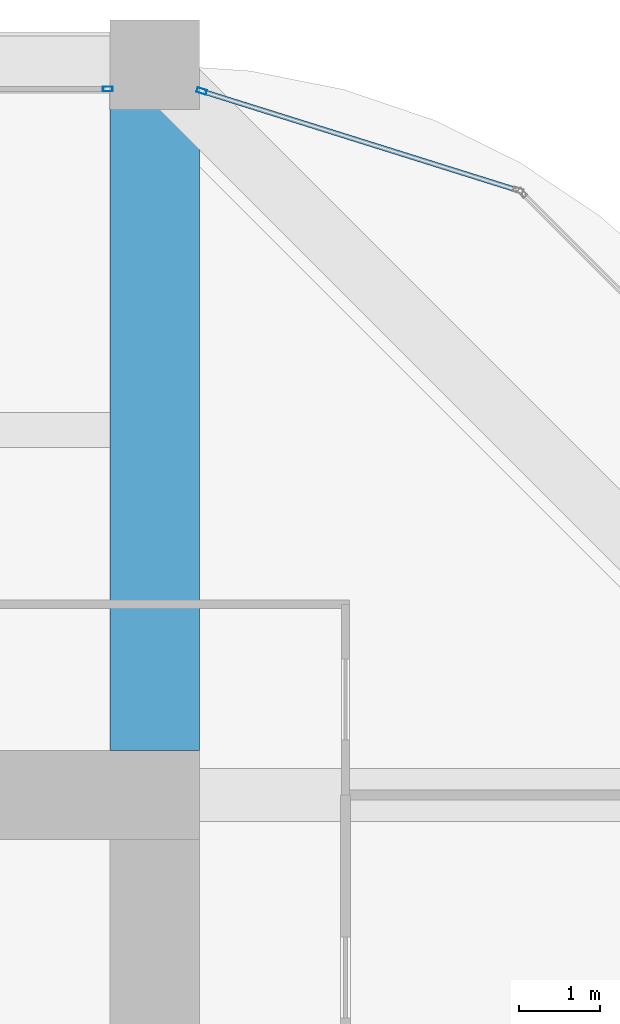
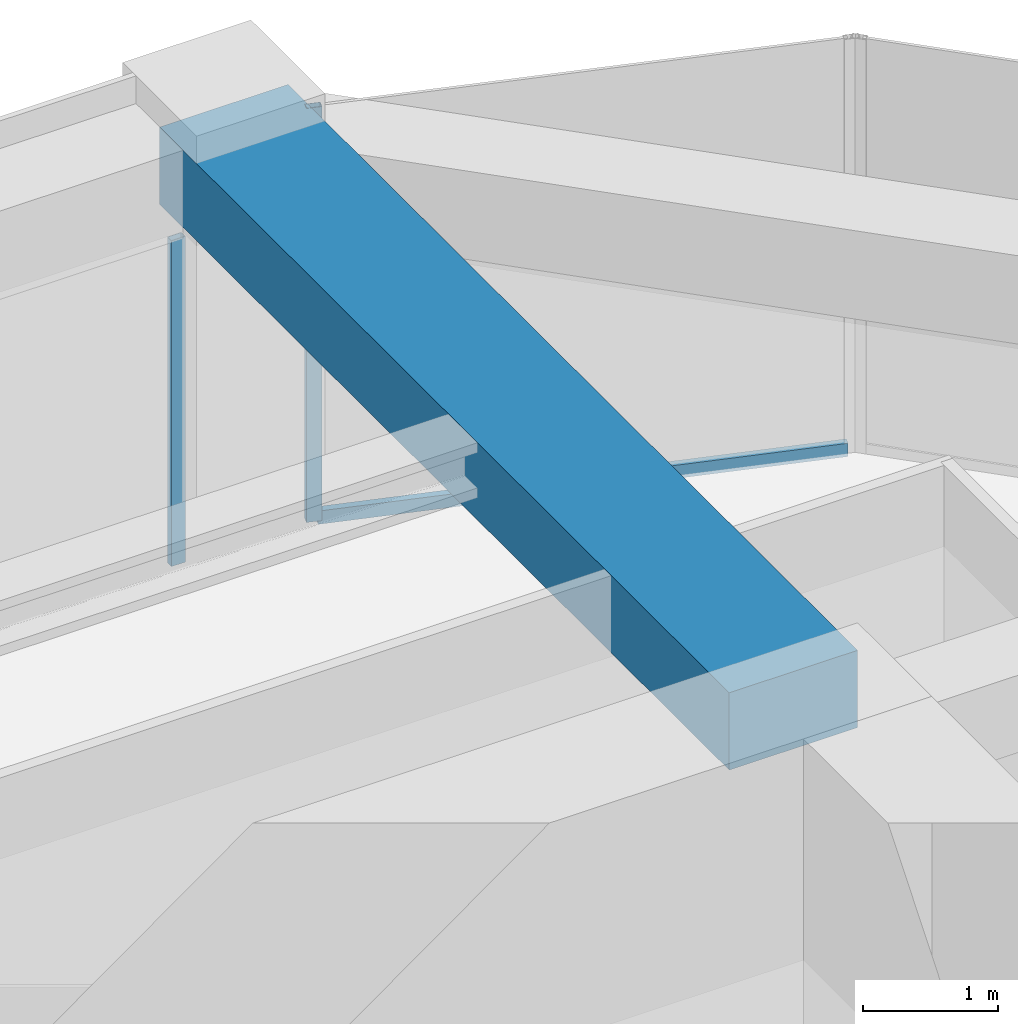
# One storey, part 37 of 45: 3 members, 1 beam, 2 elements without a shape of their own.
"""IFC4 building model written with IfcOpenShell, lengths in metres."""

from ifc_helpers import new_model, si_unit, direction, frame, origin, origin_2d, place, context, subcontext, project, spatial, rectangle, hollow_rectangle, extrude, material, material_profile, profile_set, type_object, element, aggregate, save


model = new_model("IFC4")

# Units and contexts
model_context = context("Model", 3, precision=1e-05, world=origin(), true_north=direction((0.0, 1.0)))
body_context = subcontext(model_context, "Body", "Model", "MODEL_VIEW")
ifc_project = project(units=[si_unit("LENGTHUNIT", "METRE"), si_unit("AREAUNIT", "SQUARE_METRE"), si_unit("VOLUMEUNIT", "CUBIC_METRE"), si_unit("PLANEANGLEUNIT", "RADIAN"), si_unit("MASSUNIT", "GRAM", prefix="KILO")], contexts=[model_context])

# Site, building, storey
site_placement = place(None, origin())
site = spatial("IfcSite", under=ifc_project, at=site_placement, CompositionType="ELEMENT")
building_placement = place(site_placement, origin())
building = spatial("IfcBuilding", under=site, at=building_placement, Name="Zorevar Civic Tower", CompositionType="ELEMENT")
storey_placement = place(building_placement, frame((0.0, 0.0, 291.39990234375)))
storey = spatial("IfcBuildingStorey", under=building, at=storey_placement, Name="L71", CompositionType="ELEMENT", Elevation=291.39990234375)

# Beam
ifc_material_1 = material(Name="Concrete C50/60", Category="concrete")
ifc_material_profile_1 = material_profile(ifc_material_1, rectangle(XDim=1.10009765625, YDim=0.699951171875, at=origin_2d()), Name="RC 1100x700")
ifc_profile_set_1 = profile_set([ifc_material_profile_1], Name="Concrete C50/60")
beam_type = type_object("IfcBeamType", Name="Beam RC 1100x700", PredefinedType="BEAM", material=ifc_profile_set_1)
beam_placement = place(storey_placement, frame((45.0, 36.550048828125, 3.400146484375), z_axis=(0.0, 1.0, 0.0), x_axis=(-1.0, 0.0, 0.0)))
element("IfcBeam", 1, at=beam_placement, inside=storey, type_object=beam_type, Name="Girder L72", PredefinedType="BEAM", context=body_context, shape_type="SweptSolid", body=[
    extrude(rectangle(XDim=1.10009765625, YDim=0.699951171875, at=origin_2d()), origin(), (0.0, 0.0, 1.0), 8.449951171875),
])

# Curtain wall, member
ifc_material_2 = material(Name="Dark grey solar-control glass in black aluminium frame", Category="aluminium")
curtain_wall_type = type_object("IfcCurtainWallType", Name="Curtain wall CW5 top zone", PredefinedType="NOTDEFINED", material=ifc_material_2)
curtain_wall_1_placement = place(storey_placement, origin())
curtain_wall_1 = element("IfcCurtainWall", 2, at=curtain_wall_1_placement, inside=storey, type_object=curtain_wall_type, Name="CW5 L71", PredefinedType="NOTDEFINED")
ifc_material_3 = material(Name="Aluminium, black anodised", Category="aluminium")
ifc_material_profile_2 = material_profile(ifc_material_3, hollow_rectangle(XDim=0.06005859375, YDim=0.1201171875, WallThickness=0.0029296875, at=origin_2d()), Name="AL 120x60x3")
ifc_profile_set_2 = profile_set([ifc_material_profile_2], Name="Aluminium, black anodised")
member_type_1 = type_object("IfcMemberType", Name="CW5 mullion AL 120x60x3", PredefinedType="MULLION", material=ifc_profile_set_2)
member_1_placement = place(storey_placement, frame((44.419921875, 44.699951171875, 0.0), z_axis=(0.0, 0.0, 1.0), x_axis=(0.0, 1.0, 0.0)))
member_1 = element("IfcMember", 3, at=member_1_placement, type_object=member_type_1, Name="CW5 mullion 3", PredefinedType="MULLION", context=body_context, shape_type="SweptSolid", body=[
    extrude(hollow_rectangle(XDim=0.06005859375, YDim=0.1201171875, WallThickness=0.0029296875, at=origin_2d()), origin(), (0.0, 0.0, 1.0), 2.9501953125),
])
aggregate(curtain_wall_1, [member_1])

# Curtain wall, members
curtain_wall_2_placement = place(storey_placement, origin())
curtain_wall_2 = element("IfcCurtainWall", 4, at=curtain_wall_2_placement, inside=storey, type_object=curtain_wall_type, Name="CW5 L71", PredefinedType="NOTDEFINED")
member_2_placement = place(storey_placement, frame((45.57861328125, 44.673583984375, 0.0), z_axis=(0.0, 0.0, 1.0), x_axis=(-0.299317920238, -0.954153437674, 0.0)))
member_2 = element("IfcMember", 5, at=member_2_placement, type_object=member_type_1, Name="CW5 mullion 2", PredefinedType="MULLION", context=body_context, shape_type="SweptSolid", body=[
    extrude(hollow_rectangle(XDim=0.06005859375, YDim=0.1201171875, WallThickness=0.0029296875, at=origin_2d()), origin(), (0.0, 0.0, 1.0), 3.75),
])
ifc_material_4 = material(Name="Aluminium, black anodised", Category="aluminium")
ifc_material_profile_3 = material_profile(ifc_material_4, hollow_rectangle(XDim=0.06005859375, YDim=0.1201171875, WallThickness=0.0029296875, at=origin_2d()), Name="AL 120x60x3")
ifc_profile_set_3 = profile_set([ifc_material_profile_3], Name="Aluminium, black anodised")
member_type_2 = type_object("IfcMemberType", Name="CW5 transom AL 120x60x3", PredefinedType="USERDEFINED", material=ifc_profile_set_3)
member_3_placement = place(storey_placement, frame((49.45068359375, 43.458984375, 0.030029296875), z_axis=(-0.954163457351, 0.299285978047, 0.0), x_axis=(-0.299285978047, -0.954163457351, 0.0)))
member_3 = element("IfcMember", 6, at=member_3_placement, type_object=member_type_2, Name="CW5 sill transom", ObjectType="TRANSOM", PredefinedType="USERDEFINED", context=body_context, shape_type="SweptSolid", body=[
    extrude(hollow_rectangle(XDim=0.06005859375, YDim=0.1201171875, WallThickness=0.0029296875, at=origin_2d()), origin(), (0.0, 0.0, 1.0), 4.028076171875),
])
aggregate(curtain_wall_2, [member_2, member_3])

save(model, "model.ifc")
